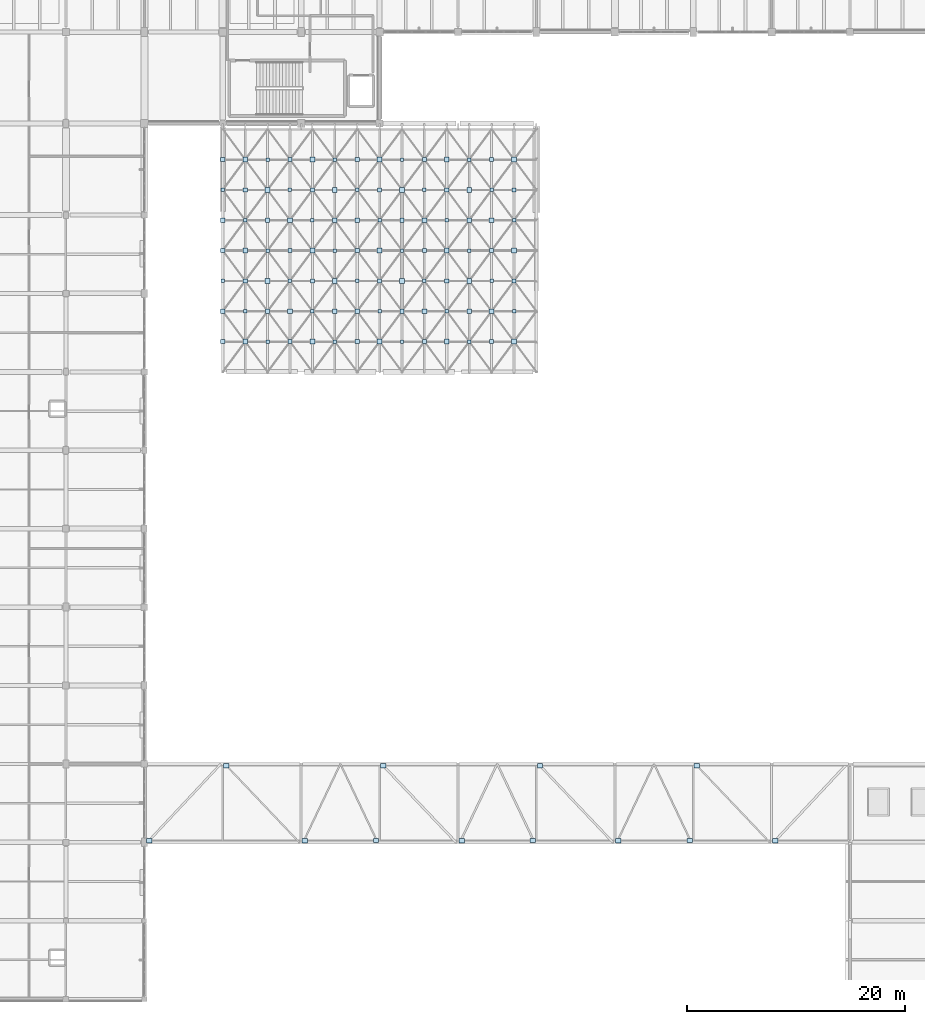
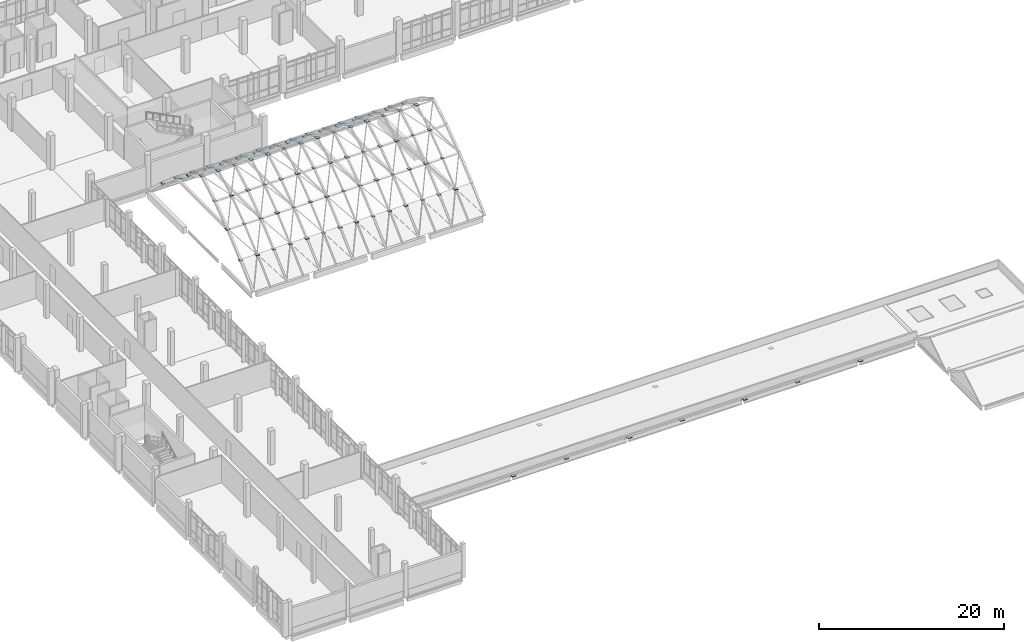
# One storey, part 69 of 87: 110 plates.
"""IFC4 building model written with IfcOpenShell, lengths in metres."""

from ifc_helpers import new_model, si_unit, direction, frame, origin, origin_2d, place, context, subcontext, project, spatial, rectangle, extrude, material, layer, layer_set, type_object, element, save


model = new_model("IFC4")

# Units and contexts
model_context = context("Model", 3, precision=1e-05, world=origin(), true_north=direction((0.0, 1.0)))
body_context = subcontext(model_context, "Body", "Model", "MODEL_VIEW")
ifc_project = project(units=[si_unit("LENGTHUNIT", "METRE"), si_unit("AREAUNIT", "SQUARE_METRE"), si_unit("VOLUMEUNIT", "CUBIC_METRE"), si_unit("PLANEANGLEUNIT", "RADIAN"), si_unit("MASSUNIT", "GRAM", prefix="KILO")], contexts=[model_context])

# Site, building, storey
site_placement = place(None, origin())
site = spatial("IfcSite", under=ifc_project, at=site_placement, CompositionType="ELEMENT")
building_placement = place(site_placement, origin())
building = spatial("IfcBuilding", under=site, at=building_placement, Name="Kalluvel Institute of Natural Sciences", CompositionType="ELEMENT")
storey_placement = place(building_placement, frame((0.0, 0.0, 18.89990234375)))
storey = spatial("IfcBuildingStorey", under=building, at=storey_placement, Name="L04", CompositionType="ELEMENT", Elevation=18.89990234375)

# Plates
ifc_material = material(Name="Steel E350 Grade 350", Category="steel")
ifc_layer_1 = layer(ifc_material, 0.02392578125)
ifc_layer_set_1 = layer_set([ifc_layer_1], Name="Steel E350 Grade 350")
plate_type_1 = type_object("IfcPlateType", Name="PL-GUS-320x24", PredefinedType="USERDEFINED", material=ifc_layer_set_1)
for number, where, z_axis, x_axis, name in (
    (1, (42.800048828125, 79.955078125, 7.00634765625), (0.0, 0.0, 1.0), (1.0, 0.0, 0.0), "Gridshell welded node plate 3"),
    (2, (42.800048828125, 88.31005859375, 4.96484375), (0.0, 0.0, 1.0), (1.0, 0.0, 0.0), "Gridshell welded node plate 6"),
    (3, (44.857177734375, 77.169921875, 4.96484375), (0.0, 0.0, 1.0), (1.0, 0.0, 0.0), "Gridshell welded node plate 9"),
    (4, (44.857177734375, 85.52490234375, 7.00634765625), (0.0, 0.0, 1.0), (1.0, 0.0, 0.0), "Gridshell welded node plate 12"),
    (5, (46.914306640625, 74.385009765625, 2.57177734375), (0.0, 0.0, 1.0), (1.0, 0.0, 0.0), "Gridshell welded node plate 15"),
    (6, (46.914306640625, 82.739990234375, 8.588134765625), (0.0, 0.0, 1.0), (1.0, 0.0, 0.0), "Gridshell welded node plate 18"),
    (7, (46.914306640625, 91.094970703125, 2.57177734375), (0.0, 0.0, 1.0), (1.0, 0.0, 0.0), "Gridshell welded node plate 21"),
    (8, (48.971435546875, 79.955078125, 7.00634765625), (0.0, 0.0, 1.0), (1.0, 0.0, 0.0), "Gridshell welded node plate 24"),
    (9, (48.971435546875, 88.31005859375, 4.96484375), (0.0, 0.0, 1.0), (1.0, 0.0, 0.0), "Gridshell welded node plate 27"),
    (10, (51.028564453125, 77.169921875, 4.96484375), (0.0, 0.0, 1.0), (1.0, 0.0, 0.0), "Gridshell welded node plate 30"),
    (11, (51.028564453125, 85.52490234375, 7.00634765625), (0.0, 0.0, 1.0), (1.0, 0.0, 0.0), "Gridshell welded node plate 33"),
    (12, (53.085693359375, 74.385009765625, 2.57177734375), (0.0, 0.0, 1.0), (1.0, 0.0, 0.0), "Gridshell welded node plate 36"),
    (13, (53.085693359375, 82.739990234375, 8.588134765625), (0.0, 0.0, 1.0), (1.0, 0.0, 0.0), "Gridshell welded node plate 39"),
    (14, (53.085693359375, 91.094970703125, 2.57177734375), (0.0, 0.0, 1.0), (1.0, 0.0, 0.0), "Gridshell welded node plate 42"),
    (15, (55.142822265625, 79.955078125, 7.00634765625), (0.0, 0.0, 1.0), (1.0, 0.0, 0.0), "Gridshell welded node plate 45"),
    (16, (55.142822265625, 88.31005859375, 4.96484375), (0.0, 0.0, 1.0), (1.0, 0.0, 0.0), "Gridshell welded node plate 48"),
    (17, (57.199951171875, 77.169921875, 4.96484375), (0.0, 0.0, 1.0), (1.0, 0.0, 0.0), "Gridshell welded node plate 51"),
    (18, (57.199951171875, 85.52490234375, 7.00634765625), (0.0, 0.0, 1.0), (1.0, 0.0, 0.0), "Gridshell welded node plate 54"),
    (19, (59.257080078125, 74.385009765625, 2.57177734375), (0.0, 0.0, 1.0), (1.0, 0.0, 0.0), "Gridshell welded node plate 57"),
    (20, (59.257080078125, 82.739990234375, 8.588134765625), (0.0, 0.0, 1.0), (1.0, 0.0, 0.0), "Gridshell welded node plate 60"),
    (21, (59.257080078125, 91.094970703125, 2.57177734375), (0.0, 0.0, 1.0), (1.0, 0.0, 0.0), "Gridshell welded node plate 63"),
    (22, (61.314208984375, 79.955078125, 7.00634765625), (0.0, 0.0, 1.0), (1.0, 0.0, 0.0), "Gridshell welded node plate 66"),
    (23, (61.314208984375, 88.31005859375, 4.96484375), (0.0, 0.0, 1.0), (1.0, 0.0, 0.0), "Gridshell welded node plate 69"),
    (24, (63.371337890625, 77.169921875, 4.96484375), (0.0, 0.0, 1.0), (1.0, 0.0, 0.0), "Gridshell welded node plate 72"),
    (25, (63.371337890625, 85.52490234375, 7.00634765625), (0.0, 0.0, 1.0), (1.0, 0.0, 0.0), "Gridshell welded node plate 75"),
    (26, (65.4287109375, 74.385009765625, 2.57177734375), (0.0, 0.0, 1.0), (1.0, 0.0, 0.0), "Gridshell welded node plate 78"),
    (27, (65.4287109375, 82.739990234375, 8.588134765625), (0.0, 0.0, 1.0), (1.0, 0.0, 0.0), "Gridshell welded node plate 81"),
    (28, (65.4287109375, 91.094970703125, 2.57177734375), (0.0, 0.0, 1.0), (1.0, 0.0, 0.0), "Gridshell welded node plate 84"),
    (29, (67.485595703125, 79.955078125, 7.00634765625), (0.0, 0.0, 1.0), (1.0, 0.0, 0.0), "Gridshell welded node plate 87"),
    (30, (67.485595703125, 88.31005859375, 4.96484375), (0.0, 0.0, 1.0), (1.0, 0.0, 0.0), "Gridshell welded node plate 90"),
    (31, (69.54296875, 77.169921875, 4.96484375), (0.0, 0.0, 1.0), (1.0, 0.0, 0.0), "Gridshell welded node plate 93"),
    (32, (69.54296875, 85.52490234375, 7.00634765625), (0.0, 0.0, 1.0), (1.0, 0.0, 0.0), "Gridshell welded node plate 96"),
):
    element("IfcPlate", number, at=place(storey_placement, frame(where, z_axis=z_axis, x_axis=x_axis)), inside=storey, type_object=plate_type_1, Name=name, ObjectType="GUSSET PLATE", PredefinedType="USERDEFINED", context=body_context, shape_type="SweptSolid", body=[
        extrude(rectangle(XDim=0.320068359375, YDim=0.320068359375, at=origin_2d()), origin(), (0.0, 0.0, 1.0), 0.02392578125),
    ])
ifc_layer_2 = layer(ifc_material, 0.028076171875)
ifc_layer_set_2 = layer_set([ifc_layer_2], Name="Steel E350 Grade 350")
plate_type_2 = type_object("IfcPlateType", Name="PL-GUS-380x28", PredefinedType="USERDEFINED", material=ifc_layer_set_2)
for number, where, z_axis, x_axis, name in (
    (33, (42.800048828125, 74.385009765625, 2.56982421875), (0.0, 0.0, 1.0), (1.0, 0.0, 0.0), "Gridshell welded node plate 1"),
    (34, (42.800048828125, 82.739990234375, 8.5859375), (0.0, 0.0, 1.0), (1.0, 0.0, 0.0), "Gridshell welded node plate 4"),
    (35, (42.800048828125, 91.094970703125, 2.56982421875), (0.0, 0.0, 1.0), (1.0, 0.0, 0.0), "Gridshell welded node plate 7"),
    (36, (44.857177734375, 79.955078125, 7.00439453125), (0.0, 0.0, 1.0), (1.0, 0.0, 0.0), "Gridshell welded node plate 10"),
    (37, (44.857177734375, 88.31005859375, 4.962890625), (0.0, 0.0, 1.0), (1.0, 0.0, 0.0), "Gridshell welded node plate 13"),
    (38, (46.914306640625, 77.169921875, 4.962890625), (0.0, 0.0, 1.0), (1.0, 0.0, 0.0), "Gridshell welded node plate 16"),
    (39, (46.914306640625, 85.52490234375, 7.00439453125), (0.0, 0.0, 1.0), (1.0, 0.0, 0.0), "Gridshell welded node plate 19"),
    (40, (48.971435546875, 74.385009765625, 2.56982421875), (0.0, 0.0, 1.0), (1.0, 0.0, 0.0), "Gridshell welded node plate 22"),
    (41, (48.971435546875, 82.739990234375, 8.5859375), (0.0, 0.0, 1.0), (1.0, 0.0, 0.0), "Gridshell welded node plate 25"),
    (42, (48.971435546875, 91.094970703125, 2.56982421875), (0.0, 0.0, 1.0), (1.0, 0.0, 0.0), "Gridshell welded node plate 28"),
    (43, (51.028564453125, 79.955078125, 7.00439453125), (0.0, 0.0, 1.0), (1.0, 0.0, 0.0), "Gridshell welded node plate 31"),
    (44, (51.028564453125, 88.31005859375, 4.962890625), (0.0, 0.0, 1.0), (1.0, 0.0, 0.0), "Gridshell welded node plate 34"),
    (45, (53.085693359375, 77.169921875, 4.962890625), (0.0, 0.0, 1.0), (1.0, 0.0, 0.0), "Gridshell welded node plate 37"),
    (46, (53.085693359375, 85.52490234375, 7.00439453125), (0.0, 0.0, 1.0), (1.0, 0.0, 0.0), "Gridshell welded node plate 40"),
    (47, (55.142822265625, 74.385009765625, 2.56982421875), (0.0, 0.0, 1.0), (1.0, 0.0, 0.0), "Gridshell welded node plate 43"),
    (48, (55.142822265625, 82.739990234375, 8.5859375), (0.0, 0.0, 1.0), (1.0, 0.0, 0.0), "Gridshell welded node plate 46"),
    (49, (55.142822265625, 91.094970703125, 2.56982421875), (0.0, 0.0, 1.0), (1.0, 0.0, 0.0), "Gridshell welded node plate 49"),
    (50, (57.199951171875, 79.955078125, 7.00439453125), (0.0, 0.0, 1.0), (1.0, 0.0, 0.0), "Gridshell welded node plate 52"),
    (51, (57.199951171875, 88.31005859375, 4.962890625), (0.0, 0.0, 1.0), (1.0, 0.0, 0.0), "Gridshell welded node plate 55"),
    (52, (59.257080078125, 77.169921875, 4.962890625), (0.0, 0.0, 1.0), (1.0, 0.0, 0.0), "Gridshell welded node plate 58"),
    (53, (59.257080078125, 85.52490234375, 7.00439453125), (0.0, 0.0, 1.0), (1.0, 0.0, 0.0), "Gridshell welded node plate 61"),
    (54, (61.314208984375, 74.385009765625, 2.56982421875), (0.0, 0.0, 1.0), (1.0, 0.0, 0.0), "Gridshell welded node plate 64"),
    (55, (61.314208984375, 82.739990234375, 8.5859375), (0.0, 0.0, 1.0), (1.0, 0.0, 0.0), "Gridshell welded node plate 67"),
    (56, (61.314208984375, 91.094970703125, 2.56982421875), (0.0, 0.0, 1.0), (1.0, 0.0, 0.0), "Gridshell welded node plate 70"),
    (57, (63.371337890625, 79.955078125, 7.00439453125), (0.0, 0.0, 1.0), (1.0, 0.0, 0.0), "Gridshell welded node plate 73"),
    (58, (63.371337890625, 88.31005859375, 4.962890625), (0.0, 0.0, 1.0), (1.0, 0.0, 0.0), "Gridshell welded node plate 76"),
    (59, (65.4287109375, 77.169921875, 4.962890625), (0.0, 0.0, 1.0), (1.0, 0.0, 0.0), "Gridshell welded node plate 79"),
    (60, (65.4287109375, 85.52490234375, 7.00439453125), (0.0, 0.0, 1.0), (1.0, 0.0, 0.0), "Gridshell welded node plate 82"),
    (61, (67.485595703125, 74.385009765625, 2.56982421875), (0.0, 0.0, 1.0), (1.0, 0.0, 0.0), "Gridshell welded node plate 85"),
    (62, (67.485595703125, 82.739990234375, 8.5859375), (0.0, 0.0, 1.0), (1.0, 0.0, 0.0), "Gridshell welded node plate 88"),
    (63, (67.485595703125, 91.094970703125, 2.56982421875), (0.0, 0.0, 1.0), (1.0, 0.0, 0.0), "Gridshell welded node plate 91"),
    (64, (69.54296875, 79.955078125, 7.00439453125), (0.0, 0.0, 1.0), (1.0, 0.0, 0.0), "Gridshell welded node plate 94"),
    (65, (69.54296875, 88.31005859375, 4.962890625), (0.0, 0.0, 1.0), (1.0, 0.0, 0.0), "Gridshell welded node plate 97"),
):
    element("IfcPlate", number, at=place(storey_placement, frame(where, z_axis=z_axis, x_axis=x_axis)), inside=storey, type_object=plate_type_2, Name=name, ObjectType="GUSSET PLATE", PredefinedType="USERDEFINED", context=body_context, shape_type="SweptSolid", body=[
        extrude(rectangle(XDim=0.3798828125, YDim=0.3798828125, at=origin_2d()), origin(), (0.0, 0.0, 1.0), 0.028076171875),
    ])
ifc_layer_3 = layer(ifc_material, 0.031982421875)
ifc_layer_set_3 = layer_set([ifc_layer_3], Name="Steel E350 Grade 350")
plate_type_3 = type_object("IfcPlateType", Name="PL-GUS-440x32", PredefinedType="USERDEFINED", material=ifc_layer_set_3)
for number, where, z_axis, x_axis, name in (
    (66, (42.800048828125, 77.169921875, 4.9609375), (0.0, 0.0, 1.0), (1.0, 0.0, 0.0), "Gridshell welded node plate 2"),
    (67, (42.800048828125, 85.52490234375, 7.00244140625), (0.0, 0.0, 1.0), (1.0, 0.0, 0.0), "Gridshell welded node plate 5"),
    (68, (44.857177734375, 74.385009765625, 2.56787109375), (0.0, 0.0, 1.0), (1.0, 0.0, 0.0), "Gridshell welded node plate 8"),
    (69, (44.857177734375, 82.739990234375, 8.583984375), (0.0, 0.0, 1.0), (1.0, 0.0, 0.0), "Gridshell welded node plate 11"),
    (70, (44.857177734375, 91.094970703125, 2.56787109375), (0.0, 0.0, 1.0), (1.0, 0.0, 0.0), "Gridshell welded node plate 14"),
    (71, (46.914306640625, 79.955078125, 7.00244140625), (0.0, 0.0, 1.0), (1.0, 0.0, 0.0), "Gridshell welded node plate 17"),
    (72, (46.914306640625, 88.31005859375, 4.9609375), (0.0, 0.0, 1.0), (1.0, 0.0, 0.0), "Gridshell welded node plate 20"),
    (73, (48.971435546875, 77.169921875, 4.9609375), (0.0, 0.0, 1.0), (1.0, 0.0, 0.0), "Gridshell welded node plate 23"),
    (74, (48.971435546875, 85.52490234375, 7.00244140625), (0.0, 0.0, 1.0), (1.0, 0.0, 0.0), "Gridshell welded node plate 26"),
    (75, (51.028564453125, 74.385009765625, 2.56787109375), (0.0, 0.0, 1.0), (1.0, 0.0, 0.0), "Gridshell welded node plate 29"),
    (76, (51.028564453125, 82.739990234375, 8.583984375), (0.0, 0.0, 1.0), (1.0, 0.0, 0.0), "Gridshell welded node plate 32"),
    (77, (51.028564453125, 91.094970703125, 2.56787109375), (0.0, 0.0, 1.0), (1.0, 0.0, 0.0), "Gridshell welded node plate 35"),
    (78, (53.085693359375, 79.955078125, 7.00244140625), (0.0, 0.0, 1.0), (1.0, 0.0, 0.0), "Gridshell welded node plate 38"),
    (79, (53.085693359375, 88.31005859375, 4.9609375), (0.0, 0.0, 1.0), (1.0, 0.0, 0.0), "Gridshell welded node plate 41"),
    (80, (55.142822265625, 77.169921875, 4.9609375), (0.0, 0.0, 1.0), (1.0, 0.0, 0.0), "Gridshell welded node plate 44"),
    (81, (55.142822265625, 85.52490234375, 7.00244140625), (0.0, 0.0, 1.0), (1.0, 0.0, 0.0), "Gridshell welded node plate 47"),
    (82, (57.199951171875, 74.385009765625, 2.56787109375), (0.0, 0.0, 1.0), (1.0, 0.0, 0.0), "Gridshell welded node plate 50"),
    (83, (57.199951171875, 82.739990234375, 8.583984375), (0.0, 0.0, 1.0), (1.0, 0.0, 0.0), "Gridshell welded node plate 53"),
    (84, (57.199951171875, 91.094970703125, 2.56787109375), (0.0, 0.0, 1.0), (1.0, 0.0, 0.0), "Gridshell welded node plate 56"),
    (85, (59.257080078125, 79.955078125, 7.00244140625), (0.0, 0.0, 1.0), (1.0, 0.0, 0.0), "Gridshell welded node plate 59"),
    (86, (59.257080078125, 88.31005859375, 4.9609375), (0.0, 0.0, 1.0), (1.0, 0.0, 0.0), "Gridshell welded node plate 62"),
    (87, (61.314208984375, 77.169921875, 4.9609375), (0.0, 0.0, 1.0), (1.0, 0.0, 0.0), "Gridshell welded node plate 65"),
    (88, (61.314208984375, 85.52490234375, 7.00244140625), (0.0, 0.0, 1.0), (1.0, 0.0, 0.0), "Gridshell welded node plate 68"),
    (89, (63.371337890625, 74.385009765625, 2.56787109375), (0.0, 0.0, 1.0), (1.0, 0.0, 0.0), "Gridshell welded node plate 71"),
    (90, (63.371337890625, 82.739990234375, 8.583984375), (0.0, 0.0, 1.0), (1.0, 0.0, 0.0), "Gridshell welded node plate 74"),
    (91, (63.371337890625, 91.094970703125, 2.56787109375), (0.0, 0.0, 1.0), (1.0, 0.0, 0.0), "Gridshell welded node plate 77"),
    (92, (65.4287109375, 79.955078125, 7.00244140625), (0.0, 0.0, 1.0), (1.0, 0.0, 0.0), "Gridshell welded node plate 80"),
    (93, (65.4287109375, 88.31005859375, 4.9609375), (0.0, 0.0, 1.0), (1.0, 0.0, 0.0), "Gridshell welded node plate 83"),
    (94, (67.485595703125, 77.169921875, 4.9609375), (0.0, 0.0, 1.0), (1.0, 0.0, 0.0), "Gridshell welded node plate 86"),
    (95, (67.485595703125, 85.52490234375, 7.00244140625), (0.0, 0.0, 1.0), (1.0, 0.0, 0.0), "Gridshell welded node plate 89"),
    (96, (69.54296875, 74.385009765625, 2.56787109375), (0.0, 0.0, 1.0), (1.0, 0.0, 0.0), "Gridshell welded node plate 92"),
    (97, (69.54296875, 82.739990234375, 8.583984375), (0.0, 0.0, 1.0), (1.0, 0.0, 0.0), "Gridshell welded node plate 95"),
    (98, (69.54296875, 91.094970703125, 2.56787109375), (0.0, 0.0, 1.0), (1.0, 0.0, 0.0), "Gridshell welded node plate 98"),
):
    element("IfcPlate", number, at=place(storey_placement, frame(where, z_axis=z_axis, x_axis=x_axis)), inside=storey, type_object=plate_type_3, Name=name, ObjectType="GUSSET PLATE", PredefinedType="USERDEFINED", context=body_context, shape_type="SweptSolid", body=[
        extrude(rectangle(XDim=0.43994140625, YDim=0.43994140625, at=origin_2d()), origin(), (0.0, 0.0, 1.0), 0.031982421875),
    ])
ifc_layer_4 = layer(ifc_material, 0.030029296875)
ifc_layer_set_4 = layer_set([ifc_layer_4], Name="Steel E350 Grade 350")
plate_type_4 = type_object("IfcPlateType", Name="PL-GUS-480x30", PredefinedType="USERDEFINED", material=ifc_layer_set_4)
for number, where, z_axis, x_axis, name in (
    (99, (56.8701171875, 28.56005859375, -0.64501953125), (0.0, 0.0, 1.0), (1.0, 0.0, 0.0), "L04 link bridge node gusset plate L04-03-2"),
    (100, (71.27001953125, 28.56005859375, -0.64501953125), (0.0, 0.0, 1.0), (1.0, 0.0, 0.0), "L04 link bridge node gusset plate L04-05-2"),
    (101, (85.669921875, 28.56005859375, -0.64501953125), (0.0, 0.0, 1.0), (1.0, 0.0, 0.0), "L04 link bridge node gusset plate L04-07-2"),
):
    element("IfcPlate", number, at=place(storey_placement, frame(where, z_axis=z_axis, x_axis=x_axis)), inside=storey, type_object=plate_type_4, Name=name, ObjectType="GUSSET PLATE", PredefinedType="USERDEFINED", context=body_context, shape_type="SweptSolid", body=[
        extrude(rectangle(XDim=0.47998046875, YDim=0.39990234375, at=origin_2d()), origin(), (0.0, 0.0, 1.0), 0.030029296875),
    ])
ifc_layer_5 = layer(ifc_material, 0.031982421875)
ifc_layer_set_5 = layer_set([ifc_layer_5], Name="Steel E350 Grade 350")
plate_type_5 = type_object("IfcPlateType", Name="PL-GUS-500x32", PredefinedType="USERDEFINED", material=ifc_layer_set_5)
for number, where, z_axis, x_axis, name in (
    (102, (36.030029296875, 28.56005859375, -0.64599609375), (0.0, 0.0, 1.0), (1.0, 0.0, 0.0), "L04 link bridge node gusset plate L04-01-1"),
    (103, (43.1298828125, 35.43994140625, -0.64599609375), (0.0, 0.0, 1.0), (1.0, 0.0, 0.0), "L04 link bridge node gusset plate L04-02-1"),
    (104, (50.330078125, 28.56005859375, -0.64599609375), (0.0, 0.0, 1.0), (1.0, 0.0, 0.0), "L04 link bridge node gusset plate L04-03-1"),
    (105, (57.530029296875, 35.43994140625, -0.64599609375), (0.0, 0.0, 1.0), (1.0, 0.0, 0.0), "L04 link bridge node gusset plate L04-04-1"),
    (106, (64.72998046875, 28.56005859375, -0.64599609375), (0.0, 0.0, 1.0), (1.0, 0.0, 0.0), "L04 link bridge node gusset plate L04-05-1"),
    (107, (71.929931640625, 35.43994140625, -0.64599609375), (0.0, 0.0, 1.0), (1.0, 0.0, 0.0), "L04 link bridge node gusset plate L04-06-1"),
    (108, (79.1298828125, 28.56005859375, -0.64599609375), (0.0, 0.0, 1.0), (1.0, 0.0, 0.0), "L04 link bridge node gusset plate L04-07-1"),
    (109, (86.330078125, 35.43994140625, -0.64599609375), (0.0, 0.0, 1.0), (1.0, 0.0, 0.0), "L04 link bridge node gusset plate L04-08-1"),
    (110, (93.530029296875, 28.56005859375, -0.64599609375), (0.0, 0.0, 1.0), (1.0, 0.0, 0.0), "L04 link bridge node gusset plate L04-09-1"),
):
    element("IfcPlate", number, at=place(storey_placement, frame(where, z_axis=z_axis, x_axis=x_axis)), inside=storey, type_object=plate_type_5, Name=name, ObjectType="GUSSET PLATE", PredefinedType="USERDEFINED", context=body_context, shape_type="SweptSolid", body=[
        extrude(rectangle(XDim=0.5, YDim=0.419921875, at=origin_2d()), origin(), (0.0, 0.0, 1.0), 0.031982421875),
    ])

save(model, "model.ifc")
